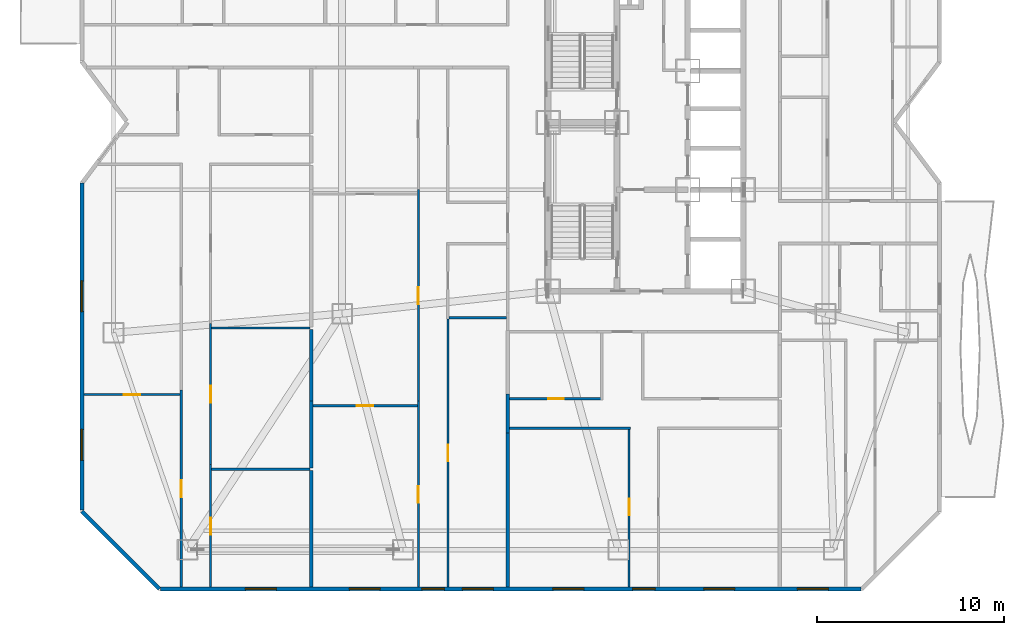
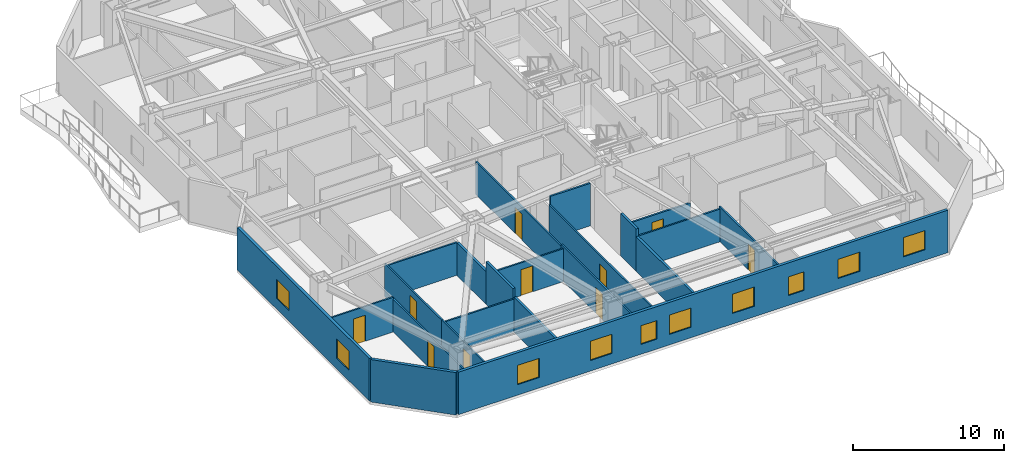
# One storey, part 8 of 16: 22 walls, 10 doors, 10 windows, 20 openings.
"""IFC4 building model written with IfcOpenShell, lengths in metres."""

from ifc_helpers import new_model, si_unit, direction, frame, frame_2d, origin, place, context, subcontext, project, spatial, rectangle, extrude, material, layer, layer_set, type_object, element, fill, save


model = new_model("IFC4")

# Units and contexts
model_context = context("Model", 3, precision=1e-05, world=origin(), true_north=direction((0.0, 1.0)))
body_context = subcontext(model_context, "Body", "Model", "MODEL_VIEW")
ifc_project = project(units=[si_unit("LENGTHUNIT", "METRE"), si_unit("AREAUNIT", "SQUARE_METRE"), si_unit("VOLUMEUNIT", "CUBIC_METRE"), si_unit("PLANEANGLEUNIT", "RADIAN"), si_unit("MASSUNIT", "GRAM", prefix="KILO")], contexts=[model_context])

# Site, building, storey
site_placement = place(None, origin())
site = spatial("IfcSite", under=ifc_project, at=site_placement, CompositionType="ELEMENT")
building_placement = place(site_placement, origin())
building = spatial("IfcBuilding", under=site, at=building_placement, Name="Khamvora Tower", CompositionType="ELEMENT")
storey_placement = place(building_placement, frame((0.0, 0.0, 55.199951171875)))
storey = spatial("IfcBuildingStorey", under=building, at=storey_placement, Name="L13", CompositionType="ELEMENT", Elevation=55.199951171875)

# Walls
ifc_material_1 = material(Name="Acoustic Double-Stud Fire Wall", Category="gypsum")
ifc_layer_1 = layer(ifc_material_1, 0.179931640625)
ifc_layer_set_1 = layer_set([ifc_layer_1], Name="Acoustic Double-Stud Fire Wall")
wall_type_1 = type_object("IfcWallType", Name="WAL-CORR-180", PredefinedType="STANDARD", material=ifc_layer_set_1)
wall_1_placement = place(storey_placement, frame((16.345947265625, 9.427001953125, 0.0), z_axis=(0.0, 0.0, 1.0), x_axis=(0.0, -1.0, 0.0)))
element("IfcWall", 1, at=wall_1_placement, inside=storey, type_object=wall_type_1, Name="L13 interior partition wall 055", PredefinedType="STANDARD", context=body_context, shape_type="SweptSolid", body=[
    extrude(rectangle(XDim=6.215087890625, YDim=0.179931640625, at=frame_2d((3.107421875, 0.0))), origin(), (0.0, 0.0, 1.0), 2.802978515625),
])
wall_2_placement = place(storey_placement, frame((16.345947265625, 13.125, 0.0), z_axis=(0.0, 0.0, 1.0), x_axis=(0.0, -1.0, 0.0)))
element("IfcWall", 2, at=wall_2_placement, inside=storey, type_object=wall_type_1, Name="L13 interior partition wall 057", PredefinedType="STANDARD", context=body_context, shape_type="SweptSolid", body=[
    extrude(rectangle(XDim=3.568115234375, YDim=0.179931640625, at=frame_2d((1.7841796875, 0.0))), origin(), (0.0, 0.0, 1.0), 3.429931640625),
])
wall_3_placement = place(storey_placement, frame((16.345947265625, 16.9609375, 0.0), z_axis=(0.0, 0.0, 1.0), x_axis=(0.0, -1.0, 0.0)))
element("IfcWall", 3, at=wall_3_placement, inside=storey, type_object=wall_type_1, Name="L13 interior partition wall 058", PredefinedType="STANDARD", context=body_context, shape_type="SweptSolid", body=[
    extrude(rectangle(XDim=3.8359375, YDim=0.179931640625, at=frame_2d((1.91796875, 0.0))), origin(), (0.0, 0.0, 1.0), 2.64697265625),
])
wall_4_placement = place(storey_placement, frame((26.8349609375, 13.50390625, 0.0), z_axis=(0.0, 0.0, 1.0), x_axis=(0.0, -1.0, 0.0)))
element("IfcWall", 4, at=wall_4_placement, inside=storey, type_object=wall_type_1, Name="L13 interior partition wall 063", PredefinedType="STANDARD", context=body_context, shape_type="SweptSolid", body=[
    extrude(rectangle(XDim=2.077880859375, YDim=0.179931640625, at=frame_2d((1.0390625, 0.0))), origin(), (0.0, 0.0, 1.0), 3.429931640625),
])
wall_5_placement = place(storey_placement, frame((26.8349609375, 11.426025390625, 0.0), z_axis=(0.0, 0.0, 1.0), x_axis=(0.0, -1.0, 0.0)))
element("IfcWall", 5, at=wall_5_placement, inside=storey, type_object=wall_type_1, Name="L13 interior partition wall 065", PredefinedType="STANDARD", context=body_context, shape_type="SweptSolid", body=[
    extrude(rectangle(XDim=8.214111328125, YDim=0.179931640625, at=frame_2d((4.10693359375, 0.0))), origin(), (0.0, 0.0, 1.0), 2.802978515625),
])
ifc_material_2 = material(Name="Precast concrete C40/50", Category="concrete")
ifc_layer_2 = layer(ifc_material_2, 0.219970703125)
ifc_layer_set_2 = layer_set([ifc_layer_2], Name="Precast concrete C40/50")
wall_type_2 = type_object("IfcWallType", Name="WAL-EXT-220", PredefinedType="STANDARD", material=ifc_layer_set_2)
wall_6_placement = place(storey_placement, frame((8.24609375, 3.110107421875, 0.0), z_axis=(0.0, 0.0, 1.0), x_axis=(-0.707106781187, 0.707106781187, 0.0)))
element("IfcWall", 6, at=wall_6_placement, inside=storey, type_object=wall_type_2, Name="L13 exterior facade wall 01.1", PredefinedType="STANDARD", context=body_context, shape_type="SweptSolid", body=[
    extrude(rectangle(XDim=5.84912109375, YDim=0.219970703125, at=frame_2d((2.924560546875, 0.0))), origin(), (0.0, 0.0, 1.0), 3.429931640625),
])

# Wall, openings, windows
wall_7_placement = place(storey_placement, frame((4.110107421875, 7.31689453125, 0.0), z_axis=(0.0, 0.0, 1.0), x_axis=(0.0, 1.0, 0.0)))
wall_7 = element("IfcWall", 7, at=wall_7_placement, inside=storey, type_object=wall_type_2, Name="L13 exterior facade wall 02.1", PredefinedType="STANDARD", context=body_context, shape_type="SweptSolid", body=[
    extrude(rectangle(XDim=17.446044921875, YDim=0.219970703125, at=frame_2d((8.72314453125, 0.0))), origin(), (0.0, 0.0, 1.0), 3.429931640625),
])
opening_1_placement = place(wall_7_placement, frame((2.64697265625, 0.0, 0.85009765625)))
opening_1 = element("IfcOpeningElement", 8, at=opening_1_placement, cuts=wall_7, Name="Opening WN-06", PredefinedType="OPENING", context=body_context, shape_type="SweptSolid", body=[
    extrude(rectangle(XDim=1.64990234375, YDim=1.550048828125, at=frame_2d((0.824951171875, 0.77490234375))), frame((0.0, 0.119873046875, 0.0), z_axis=(0.0, -1.0, 0.0), x_axis=(1.0, 0.0, 0.0)), (0.0, 0.0, 1.0), 0.239990234375),
])
opening_2_placement = place(wall_7_placement, frame((10.5849609375, 0.0, 0.85009765625)))
opening_2 = element("IfcOpeningElement", 9, at=opening_2_placement, cuts=wall_7, Name="Opening WN-06", PredefinedType="OPENING", context=body_context, shape_type="SweptSolid", body=[
    extrude(rectangle(XDim=1.64990234375, YDim=1.550048828125, at=frame_2d((0.824951171875, 0.77490234375))), frame((0.0, 0.119873046875, 0.0), z_axis=(0.0, -1.0, 0.0), x_axis=(1.0, 0.0, 0.0)), (0.0, 0.0, 1.0), 0.239990234375),
])
ifc_material_3 = material(Name="Low-E Laminated Double Glazing", Category="glass")
window_type_1 = type_object("IfcWindowType", Name="WIN-VIS-1650x1550", PartitioningType="SINGLE_PANEL", PredefinedType="WINDOW", material=ifc_material_3)
window_1_placement = place(opening_1_placement, origin())
window_1 = element("IfcWindow", 10, at=window_1_placement, inside=storey, type_object=window_type_1, Name="L13 vision window 02.1.01", OverallHeight=1.550048828125, OverallWidth=1.64990234375, PartitioningType="SINGLE_PANEL", PredefinedType="WINDOW", context=body_context, shape_type="SweptSolid", body=[
    extrude(rectangle(XDim=1.64990234375, YDim=1.550048828125, at=frame_2d((0.824951171875, 0.77490234375))), frame((0.0, 0.030029296875, 0.0), z_axis=(0.0, -1.0, 0.0), x_axis=(1.0, 0.0, 0.0)), (0.0, 0.0, 1.0), 0.06005859375),
])
fill(opening_1, window_1)
window_2_placement = place(opening_2_placement, origin())
window_2 = element("IfcWindow", 11, at=window_2_placement, inside=storey, type_object=window_type_1, Name="L13 vision window 02.1.02", OverallHeight=1.550048828125, OverallWidth=1.64990234375, PartitioningType="SINGLE_PANEL", PredefinedType="WINDOW", context=body_context, shape_type="SweptSolid", body=[
    extrude(rectangle(XDim=1.64990234375, YDim=1.550048828125, at=frame_2d((0.824951171875, 0.77490234375))), frame((0.0, 0.030029296875, 0.0), z_axis=(0.0, -1.0, 0.0), x_axis=(1.0, 0.0, 0.0)), (0.0, 0.0, 1.0), 0.06005859375),
])
fill(opening_2, window_2)

wall_8_placement = place(storey_placement, frame((45.68310546875, 3.110107421875, 0.0), z_axis=(0.0, 0.0, 1.0), x_axis=(-1.0, 0.0, 0.0)))
wall_8 = element("IfcWall", 12, at=wall_8_placement, inside=storey, type_object=wall_type_2, Name="L13 exterior facade wall 14.1", PredefinedType="STANDARD", context=body_context, shape_type="SweptSolid", body=[
    extrude(rectangle(XDim=37.3681640625, YDim=0.219970703125, at=frame_2d((18.68408203125, 0.0))), origin(), (0.0, 0.0, 1.0), 3.429931640625),
])
opening_3_placement = place(wall_8_placement, frame((31.194091796875, 0.0, 0.85009765625)))
opening_3 = element("IfcOpeningElement", 13, at=opening_3_placement, cuts=wall_8, Name="Opening WN-06", PredefinedType="OPENING", context=body_context, shape_type="SweptSolid", body=[
    extrude(rectangle(XDim=1.64990234375, YDim=1.550048828125, at=frame_2d((0.824951171875, 0.77490234375))), frame((0.0, 0.119873046875, 0.0), z_axis=(0.0, -1.0, 0.0), x_axis=(1.0, 0.0, 0.0)), (0.0, 0.0, 1.0), 0.239990234375),
])
opening_4_placement = place(wall_8_placement, frame((19.614990234375, 0.0, 0.85009765625)))
opening_4 = element("IfcOpeningElement", 14, at=opening_4_placement, cuts=wall_8, Name="Opening WN-06", PredefinedType="OPENING", context=body_context, shape_type="SweptSolid", body=[
    extrude(rectangle(XDim=1.64990234375, YDim=1.550048828125, at=frame_2d((0.824951171875, 0.77490234375))), frame((0.0, 0.119873046875, 0.0), z_axis=(0.0, -1.0, 0.0), x_axis=(1.0, 0.0, 0.0)), (0.0, 0.0, 1.0), 0.239990234375),
])
opening_5_placement = place(wall_8_placement, frame((22.222900390625, 0.0, 0.800048828125)))
opening_5 = element("IfcOpeningElement", 15, at=opening_5_placement, cuts=wall_8, Name="Opening WN-03", PredefinedType="OPENING", context=body_context, shape_type="SweptSolid", body=[
    extrude(rectangle(XDim=1.199951171875, YDim=1.5, at=frame_2d((0.60009765625, 0.75))), frame((0.0, 0.119873046875, 0.0), z_axis=(0.0, -1.0, 0.0), x_axis=(1.0, 0.0, 0.0)), (0.0, 0.0, 1.0), 0.239990234375),
])
opening_6_placement = place(wall_8_placement, frame((25.64990234375, 0.0, 0.85009765625)))
opening_6 = element("IfcOpeningElement", 16, at=opening_6_placement, cuts=wall_8, Name="Opening WN-06", PredefinedType="OPENING", context=body_context, shape_type="SweptSolid", body=[
    extrude(rectangle(XDim=1.64990234375, YDim=1.550048828125, at=frame_2d((0.824951171875, 0.77490234375))), frame((0.0, 0.119873046875, 0.0), z_axis=(0.0, -1.0, 0.0), x_axis=(1.0, 0.0, 0.0)), (0.0, 0.0, 1.0), 0.239990234375),
])
opening_7_placement = place(wall_8_placement, frame((10.98291015625, 0.0, 0.800048828125)))
opening_7 = element("IfcOpeningElement", 17, at=opening_7_placement, cuts=wall_8, Name="Opening WN-03", PredefinedType="OPENING", context=body_context, shape_type="SweptSolid", body=[
    extrude(rectangle(XDim=1.199951171875, YDim=1.5, at=frame_2d((0.60009765625, 0.75))), frame((0.0, 0.119873046875, 0.0), z_axis=(0.0, -1.0, 0.0), x_axis=(1.0, 0.0, 0.0)), (0.0, 0.0, 1.0), 0.239990234375),
])
opening_8_placement = place(wall_8_placement, frame((14.782958984375, 0.0, 0.85009765625)))
opening_8 = element("IfcOpeningElement", 18, at=opening_8_placement, cuts=wall_8, Name="Opening WN-06", PredefinedType="OPENING", context=body_context, shape_type="SweptSolid", body=[
    extrude(rectangle(XDim=1.64990234375, YDim=1.550048828125, at=frame_2d((0.824951171875, 0.77490234375))), frame((0.0, 0.119873046875, 0.0), z_axis=(0.0, -1.0, 0.0), x_axis=(1.0, 0.0, 0.0)), (0.0, 0.0, 1.0), 0.239990234375),
])
opening_9_placement = place(wall_8_placement, frame((6.73291015625, 0.0, 0.85009765625)))
opening_9 = element("IfcOpeningElement", 19, at=opening_9_placement, cuts=wall_8, Name="Opening WN-06", PredefinedType="OPENING", context=body_context, shape_type="SweptSolid", body=[
    extrude(rectangle(XDim=1.64990234375, YDim=1.550048828125, at=frame_2d((0.824951171875, 0.77490234375))), frame((0.0, 0.119873046875, 0.0), z_axis=(0.0, -1.0, 0.0), x_axis=(1.0, 0.0, 0.0)), (0.0, 0.0, 1.0), 0.239990234375),
])
opening_10_placement = place(wall_8_placement, frame((1.738037109375, 0.0, 0.85009765625)))
opening_10 = element("IfcOpeningElement", 20, at=opening_10_placement, cuts=wall_8, Name="Opening WN-06", PredefinedType="OPENING", context=body_context, shape_type="SweptSolid", body=[
    extrude(rectangle(XDim=1.64990234375, YDim=1.550048828125, at=frame_2d((0.824951171875, 0.77490234375))), frame((0.0, 0.119873046875, 0.0), z_axis=(0.0, -1.0, 0.0), x_axis=(1.0, 0.0, 0.0)), (0.0, 0.0, 1.0), 0.239990234375),
])
window_type_2 = type_object("IfcWindowType", Name="WIN-VIS-1200x1500", PartitioningType="SINGLE_PANEL", PredefinedType="WINDOW", material=ifc_material_3)
window_3_placement = place(opening_5_placement, origin())
window_3 = element("IfcWindow", 21, at=window_3_placement, inside=storey, type_object=window_type_2, Name="L13 vision window 14.1.03", OverallHeight=1.5, OverallWidth=1.199951171875, PartitioningType="SINGLE_PANEL", PredefinedType="WINDOW", context=body_context, shape_type="SweptSolid", body=[
    extrude(rectangle(XDim=1.199951171875, YDim=1.5, at=frame_2d((0.60009765625, 0.75))), frame((0.0, 0.030029296875, 0.0), z_axis=(0.0, -1.0, 0.0), x_axis=(1.0, 0.0, 0.0)), (0.0, 0.0, 1.0), 0.06005859375),
])
fill(opening_5, window_3)
window_4_placement = place(opening_7_placement, origin())
window_4 = element("IfcWindow", 22, at=window_4_placement, inside=storey, type_object=window_type_2, Name="L13 vision window 14.1.05", OverallHeight=1.5, OverallWidth=1.199951171875, PartitioningType="SINGLE_PANEL", PredefinedType="WINDOW", context=body_context, shape_type="SweptSolid", body=[
    extrude(rectangle(XDim=1.199951171875, YDim=1.5, at=frame_2d((0.60009765625, 0.75))), frame((0.0, 0.030029296875, 0.0), z_axis=(0.0, -1.0, 0.0), x_axis=(1.0, 0.0, 0.0)), (0.0, 0.0, 1.0), 0.06005859375),
])
fill(opening_7, window_4)
window_5_placement = place(opening_3_placement, origin())
window_5 = element("IfcWindow", 23, at=window_5_placement, inside=storey, type_object=window_type_1, Name="L13 vision window 14.1.01", OverallHeight=1.550048828125, OverallWidth=1.64990234375, PartitioningType="SINGLE_PANEL", PredefinedType="WINDOW", context=body_context, shape_type="SweptSolid", body=[
    extrude(rectangle(XDim=1.64990234375, YDim=1.550048828125, at=frame_2d((0.824951171875, 0.77490234375))), frame((0.0, 0.030029296875, 0.0), z_axis=(0.0, -1.0, 0.0), x_axis=(1.0, 0.0, 0.0)), (0.0, 0.0, 1.0), 0.06005859375),
])
fill(opening_3, window_5)
window_6_placement = place(opening_4_placement, origin())
window_6 = element("IfcWindow", 24, at=window_6_placement, inside=storey, type_object=window_type_1, Name="L13 vision window 14.1.02", OverallHeight=1.550048828125, OverallWidth=1.64990234375, PartitioningType="SINGLE_PANEL", PredefinedType="WINDOW", context=body_context, shape_type="SweptSolid", body=[
    extrude(rectangle(XDim=1.64990234375, YDim=1.550048828125, at=frame_2d((0.824951171875, 0.77490234375))), frame((0.0, 0.030029296875, 0.0), z_axis=(0.0, -1.0, 0.0), x_axis=(1.0, 0.0, 0.0)), (0.0, 0.0, 1.0), 0.06005859375),
])
fill(opening_4, window_6)
window_7_placement = place(opening_6_placement, origin())
window_7 = element("IfcWindow", 25, at=window_7_placement, inside=storey, type_object=window_type_1, Name="L13 vision window 14.1.04", OverallHeight=1.550048828125, OverallWidth=1.64990234375, PartitioningType="SINGLE_PANEL", PredefinedType="WINDOW", context=body_context, shape_type="SweptSolid", body=[
    extrude(rectangle(XDim=1.64990234375, YDim=1.550048828125, at=frame_2d((0.824951171875, 0.77490234375))), frame((0.0, 0.030029296875, 0.0), z_axis=(0.0, -1.0, 0.0), x_axis=(1.0, 0.0, 0.0)), (0.0, 0.0, 1.0), 0.06005859375),
])
fill(opening_6, window_7)
window_8_placement = place(opening_8_placement, origin())
window_8 = element("IfcWindow", 26, at=window_8_placement, inside=storey, type_object=window_type_1, Name="L13 vision window 14.1.06", OverallHeight=1.550048828125, OverallWidth=1.64990234375, PartitioningType="SINGLE_PANEL", PredefinedType="WINDOW", context=body_context, shape_type="SweptSolid", body=[
    extrude(rectangle(XDim=1.64990234375, YDim=1.550048828125, at=frame_2d((0.824951171875, 0.77490234375))), frame((0.0, 0.030029296875, 0.0), z_axis=(0.0, -1.0, 0.0), x_axis=(1.0, 0.0, 0.0)), (0.0, 0.0, 1.0), 0.06005859375),
])
fill(opening_8, window_8)
window_9_placement = place(opening_9_placement, origin())
window_9 = element("IfcWindow", 27, at=window_9_placement, inside=storey, type_object=window_type_1, Name="L13 vision window 14.1.07", OverallHeight=1.550048828125, OverallWidth=1.64990234375, PartitioningType="SINGLE_PANEL", PredefinedType="WINDOW", context=body_context, shape_type="SweptSolid", body=[
    extrude(rectangle(XDim=1.64990234375, YDim=1.550048828125, at=frame_2d((0.824951171875, 0.77490234375))), frame((0.0, 0.030029296875, 0.0), z_axis=(0.0, -1.0, 0.0), x_axis=(1.0, 0.0, 0.0)), (0.0, 0.0, 1.0), 0.06005859375),
])
fill(opening_9, window_9)
window_10_placement = place(opening_10_placement, origin())
window_10 = element("IfcWindow", 28, at=window_10_placement, inside=storey, type_object=window_type_1, Name="L13 vision window 14.1.08", OverallHeight=1.550048828125, OverallWidth=1.64990234375, PartitioningType="SINGLE_PANEL", PredefinedType="WINDOW", context=body_context, shape_type="SweptSolid", body=[
    extrude(rectangle(XDim=1.64990234375, YDim=1.550048828125, at=frame_2d((0.824951171875, 0.77490234375))), frame((0.0, 0.030029296875, 0.0), z_axis=(0.0, -1.0, 0.0), x_axis=(1.0, 0.0, 0.0)), (0.0, 0.0, 1.0), 0.06005859375),
])
fill(opening_10, window_10)

# Wall, opening, door
ifc_material_4 = material(Name="Gypsum Plasterboard Partition", Category="gypsum")
ifc_layer_3 = layer(ifc_material_4, 0.1201171875)
ifc_layer_set_3 = layer_set([ifc_layer_3], Name="Gypsum Plasterboard Partition")
wall_type_3 = type_object("IfcWallType", Name="WAL-PART-120", PredefinedType="PARTITIONING", material=ifc_layer_set_3)
wall_9_placement = place(storey_placement, frame((9.410888671875, 3.2119140625, 0.0), z_axis=(0.0, 0.0, 1.0), x_axis=(0.0, 1.0, 0.0)))
wall_9 = element("IfcWall", 29, at=wall_9_placement, inside=storey, type_object=wall_type_3, Name="L13 interior partition wall 044", PredefinedType="PARTITIONING", context=body_context, shape_type="SweptSolid", body=[
    extrude(rectangle(XDim=10.51318359375, YDim=0.1201171875, at=frame_2d((5.256591796875, 0.0))), origin(), (0.0, 0.0, 1.0), 2.64697265625),
])
opening_11_placement = place(wall_9_placement, frame((4.784912109375, 0.0, 0.0)))
opening_11 = element("IfcOpeningElement", 30, at=opening_11_placement, cuts=wall_9, Name="Opening D-RM1", PredefinedType="OPENING", context=body_context, shape_type="SweptSolid", body=[
    extrude(rectangle(XDim=0.89990234375, YDim=2.10009765625, at=frame_2d((0.449951171875, 1.050048828125))), frame((0.0, 0.070068359375, 0.0), z_axis=(0.0, -1.0, 0.0), x_axis=(1.0, 0.0, 0.0)), (0.0, 0.0, 1.0), 0.14013671875),
])
ifc_material_5 = material(Name="Powder-Coated Steel and Hardwood Leaf", Category="steel")
door_type_1 = type_object("IfcDoorType", Name="DOR-ROOM-900", OperationType="NOTDEFINED", PredefinedType="DOOR", material=ifc_material_5)
door_1_placement = place(opening_11_placement, origin())
door_1 = element("IfcDoor", 31, at=door_1_placement, inside=storey, type_object=door_type_1, Name="L13 interior door 13WA1H-13WA1R1", OperationType="SINGLE_SWING_RIGHT", OverallHeight=2.10009765625, OverallWidth=0.89990234375, PredefinedType="DOOR", context=body_context, shape_type="SweptSolid", body=[
    extrude(rectangle(XDim=0.89990234375, YDim=2.10009765625, at=frame_2d((0.449951171875, 1.050048828125))), frame((0.0, 0.02490234375, 0.0), z_axis=(0.0, -1.0, 0.0), x_axis=(1.0, 0.0, 0.0)), (0.0, 0.0, 1.0), 0.050048828125),
])
fill(opening_11, door_1)

wall_10_placement = place(storey_placement, frame((10.98095703125, 9.741943359375, 0.0), z_axis=(0.0, 0.0, 1.0), x_axis=(0.0, -1.0, 0.0)))
wall_10 = element("IfcWall", 32, at=wall_10_placement, inside=storey, type_object=wall_type_3, Name="L13 interior partition wall 047", PredefinedType="PARTITIONING", context=body_context, shape_type="SweptSolid", body=[
    extrude(rectangle(XDim=6.530029296875, YDim=0.1201171875, at=frame_2d((3.26513671875, 0.0))), origin(), (0.0, 0.0, 1.0), 2.64697265625),
])
opening_12_placement = place(wall_10_placement, frame((2.8359375, 0.0, 0.0)))
opening_12 = element("IfcOpeningElement", 33, at=opening_12_placement, cuts=wall_10, Name="Opening D-RM1", PredefinedType="OPENING", context=body_context, shape_type="SweptSolid", body=[
    extrude(rectangle(XDim=0.89990234375, YDim=2.10009765625, at=frame_2d((0.449951171875, 1.050048828125))), frame((0.0, 0.070068359375, 0.0), z_axis=(0.0, -1.0, 0.0), x_axis=(1.0, 0.0, 0.0)), (0.0, 0.0, 1.0), 0.14013671875),
])
door_2_placement = place(opening_12_placement, origin())
door_2 = element("IfcDoor", 34, at=door_2_placement, inside=storey, type_object=door_type_1, Name="L13 interior door 13WA1H-13WA1R3", OperationType="SINGLE_SWING_LEFT", OverallHeight=2.10009765625, OverallWidth=0.89990234375, PredefinedType="DOOR", context=body_context, shape_type="SweptSolid", body=[
    extrude(rectangle(XDim=0.89990234375, YDim=2.10009765625, at=frame_2d((0.449951171875, 1.050048828125))), frame((0.0, 0.02490234375, 0.0), z_axis=(0.0, -1.0, 0.0), x_axis=(1.0, 0.0, 0.0)), (0.0, 0.0, 1.0), 0.050048828125),
])
fill(opening_12, door_2)

wall_11_placement = place(storey_placement, frame((10.98095703125, 17.27490234375, 0.0), z_axis=(0.0, 0.0, 1.0), x_axis=(0.0, -1.0, 0.0)))
wall_11 = element("IfcWall", 35, at=wall_11_placement, inside=storey, type_object=wall_type_3, Name="L13 interior partition wall 048", PredefinedType="PARTITIONING", context=body_context, shape_type="SweptSolid", body=[
    extrude(rectangle(XDim=7.532958984375, YDim=0.1201171875, at=frame_2d((3.7666015625, 0.0))), origin(), (0.0, 0.0, 1.0), 2.64697265625),
])
opening_13_placement = place(wall_11_placement, frame((3.3369140625, 0.0, 0.0)))
opening_13 = element("IfcOpeningElement", 36, at=opening_13_placement, cuts=wall_11, Name="Opening D-RM1", PredefinedType="OPENING", context=body_context, shape_type="SweptSolid", body=[
    extrude(rectangle(XDim=0.89990234375, YDim=2.10009765625, at=frame_2d((0.449951171875, 1.050048828125))), frame((0.0, 0.070068359375, 0.0), z_axis=(0.0, -1.0, 0.0), x_axis=(1.0, 0.0, 0.0)), (0.0, 0.0, 1.0), 0.14013671875),
])
door_3_placement = place(opening_13_placement, origin())
door_3 = element("IfcDoor", 37, at=door_3_placement, inside=storey, type_object=door_type_1, Name="L13 interior door 13WA1H-13WA1R4", OperationType="SINGLE_SWING_LEFT", OverallHeight=2.10009765625, OverallWidth=0.89990234375, PredefinedType="DOOR", context=body_context, shape_type="SweptSolid", body=[
    extrude(rectangle(XDim=0.89990234375, YDim=2.10009765625, at=frame_2d((0.449951171875, 1.050048828125))), frame((0.0, 0.02490234375, 0.0), z_axis=(0.0, -1.0, 0.0), x_axis=(1.0, 0.0, 0.0)), (0.0, 0.0, 1.0), 0.050048828125),
])
fill(opening_13, door_3)

wall_12_placement = place(storey_placement, frame((4.2119140625, 13.47509765625, 0.0), z_axis=(0.0, 0.0, 1.0), x_axis=(1.0, 0.0, 0.0)))
wall_12 = element("IfcWall", 38, at=wall_12_placement, inside=storey, type_object=wall_type_3, Name="L13 interior partition wall 053", PredefinedType="PARTITIONING", context=body_context, shape_type="SweptSolid", body=[
    extrude(rectangle(XDim=5.14501953125, YDim=0.1201171875, at=frame_2d((2.572509765625, 0.0))), origin(), (0.0, 0.0, 1.0), 2.802978515625),
])
opening_14_placement = place(wall_12_placement, frame((2.1220703125, 0.0, 0.0)))
opening_14 = element("IfcOpeningElement", 39, at=opening_14_placement, cuts=wall_12, Name="Opening D-RM1", PredefinedType="OPENING", context=body_context, shape_type="SweptSolid", body=[
    extrude(rectangle(XDim=0.89990234375, YDim=2.10009765625, at=frame_2d((0.449951171875, 1.050048828125))), frame((0.0, 0.070068359375, 0.0), z_axis=(0.0, -1.0, 0.0), x_axis=(1.0, 0.0, 0.0)), (0.0, 0.0, 1.0), 0.14013671875),
])
door_4_placement = place(opening_14_placement, origin())
door_4 = element("IfcDoor", 40, at=door_4_placement, inside=storey, type_object=door_type_1, Name="L13 interior door 13WA1R1-13WA1R2", OperationType="SINGLE_SWING_LEFT", OverallHeight=2.10009765625, OverallWidth=0.89990234375, PredefinedType="DOOR", context=body_context, shape_type="SweptSolid", body=[
    extrude(rectangle(XDim=0.89990234375, YDim=2.10009765625, at=frame_2d((0.449951171875, 1.050048828125))), frame((0.0, 0.02490234375, 0.0), z_axis=(0.0, -1.0, 0.0), x_axis=(1.0, 0.0, 0.0)), (0.0, 0.0, 1.0), 0.050048828125),
])
fill(opening_14, door_4)

# Walls
for number, where, z_axis, x_axis, name in (
    (41, (11.034912109375, 9.491943359375, 0.0), (0.0, 0.0, 1.0), (1.0, 0.0, 0.0), "L13 interior partition wall 054"),
    (42, (11.034912109375, 17.02587890625, 0.0), (0.0, 0.0, 1.0), (1.0, 0.0, 0.0), "L13 interior partition wall 056"),
):
    element("IfcWall", number, at=place(storey_placement, frame(where, z_axis=z_axis, x_axis=x_axis)), inside=storey, type_object=wall_type_3, Name=name, PredefinedType="PARTITIONING", context=body_context, shape_type="SweptSolid", body=[
        extrude(rectangle(XDim=5.24609375, YDim=0.1201171875, at=frame_2d((2.623046875, 0.0))), origin(), (0.0, 0.0, 1.0), 2.64697265625),
    ])

# Wall, opening, door
wall_13_placement = place(storey_placement, frame((23.64990234375, 3.2119140625, 0.0), z_axis=(0.0, 0.0, 1.0), x_axis=(0.0, 1.0, 0.0)))
wall_13 = element("IfcWall", 43, at=wall_13_placement, inside=storey, type_object=wall_type_3, Name="L13 interior partition wall 061", PredefinedType="PARTITIONING", context=body_context, shape_type="SweptSolid", body=[
    extrude(rectangle(XDim=14.2919921875, YDim=0.1201171875, at=frame_2d((7.14599609375, 0.0))), origin(), (0.0, 0.0, 1.0), 2.802978515625),
])
opening_15_placement = place(wall_13_placement, frame((6.696044921875, 0.0, 0.0)))
opening_15 = element("IfcOpeningElement", 44, at=opening_15_placement, cuts=wall_13, Name="Opening D-RM1", PredefinedType="OPENING", context=body_context, shape_type="SweptSolid", body=[
    extrude(rectangle(XDim=0.89990234375, YDim=2.10009765625, at=frame_2d((0.449951171875, 1.050048828125))), frame((0.0, 0.070068359375, 0.0), z_axis=(0.0, -1.0, 0.0), x_axis=(1.0, 0.0, 0.0)), (0.0, 0.0, 1.0), 0.14013671875),
])
door_5_placement = place(opening_15_placement, origin())
door_5 = element("IfcDoor", 45, at=door_5_placement, inside=storey, type_object=door_type_1, Name="L13 interior door 13WA2W1-13WA2H", OperationType="SINGLE_SWING_RIGHT", OverallHeight=2.10009765625, OverallWidth=0.89990234375, PredefinedType="DOOR", context=body_context, shape_type="SweptSolid", body=[
    extrude(rectangle(XDim=0.89990234375, YDim=2.10009765625, at=frame_2d((0.449951171875, 1.050048828125))), frame((0.0, 0.02490234375, 0.0), z_axis=(0.0, -1.0, 0.0), x_axis=(1.0, 0.0, 0.0)), (0.0, 0.0, 1.0), 0.050048828125),
])
fill(opening_15, door_5)

wall_14_placement = place(storey_placement, frame((22.070068359375, 3.2119140625, 0.0), z_axis=(0.0, 0.0, 1.0), x_axis=(0.0, 1.0, 0.0)))
wall_14 = element("IfcWall", 46, at=wall_14_placement, inside=storey, type_object=wall_type_3, Name="L13 interior partition wall 070", PredefinedType="PARTITIONING", context=body_context, shape_type="SweptSolid", body=[
    extrude(rectangle(XDim=9.9130859375, YDim=0.1201171875, at=frame_2d((4.95654296875, 0.0))), origin(), (0.0, 0.0, 1.0), 2.802978515625),
])
opening_16_placement = place(wall_14_placement, frame((4.486083984375, 0.0, 0.0)))
opening_16 = element("IfcOpeningElement", 47, at=opening_16_placement, cuts=wall_14, Name="Opening D-RM1", PredefinedType="OPENING", context=body_context, shape_type="SweptSolid", body=[
    extrude(rectangle(XDim=0.89990234375, YDim=2.10009765625, at=frame_2d((0.449951171875, 1.050048828125))), frame((0.0, 0.070068359375, 0.0), z_axis=(0.0, -1.0, 0.0), x_axis=(1.0, 0.0, 0.0)), (0.0, 0.0, 1.0), 0.14013671875),
])
door_6_placement = place(opening_16_placement, origin())
door_6 = element("IfcDoor", 48, at=door_6_placement, inside=storey, type_object=door_type_1, Name="L13 interior door 13WA2H-13WA2R1", OperationType="SINGLE_SWING_LEFT", OverallHeight=2.10009765625, OverallWidth=0.89990234375, PredefinedType="DOOR", context=body_context, shape_type="SweptSolid", body=[
    extrude(rectangle(XDim=0.89990234375, YDim=2.10009765625, at=frame_2d((0.449951171875, 1.050048828125))), frame((0.0, 0.02490234375, 0.0), z_axis=(0.0, -1.0, 0.0), x_axis=(1.0, 0.0, 0.0)), (0.0, 0.0, 1.0), 0.050048828125),
])
fill(opening_16, door_6)

wall_15_placement = place(storey_placement, frame((22.070068359375, 13.125, 0.0), z_axis=(0.0, 0.0, 1.0), x_axis=(0.0, 1.0, 0.0)))
wall_15 = element("IfcWall", 49, at=wall_15_placement, inside=storey, type_object=wall_type_3, Name="L13 interior partition wall 071", PredefinedType="PARTITIONING", context=body_context, shape_type="SweptSolid", body=[
    extrude(rectangle(XDim=11.304931640625, YDim=0.1201171875, at=frame_2d((5.65234375, 0.0))), origin(), (0.0, 0.0, 1.0), 2.64697265625),
])
opening_17_placement = place(wall_15_placement, frame((5.180908203125, 0.0, 0.0)))
opening_17 = element("IfcOpeningElement", 50, at=opening_17_placement, cuts=wall_15, Name="Opening D-RM1", PredefinedType="OPENING", context=body_context, shape_type="SweptSolid", body=[
    extrude(rectangle(XDim=0.89990234375, YDim=2.10009765625, at=frame_2d((0.449951171875, 1.050048828125))), frame((0.0, 0.070068359375, 0.0), z_axis=(0.0, -1.0, 0.0), x_axis=(1.0, 0.0, 0.0)), (0.0, 0.0, 1.0), 0.14013671875),
])
door_7_placement = place(opening_17_placement, origin())
door_7 = element("IfcDoor", 51, at=door_7_placement, inside=storey, type_object=door_type_1, Name="L13 interior door 13WA2H-13WA2R2", OperationType="SINGLE_SWING_RIGHT", OverallHeight=2.10009765625, OverallWidth=0.89990234375, PredefinedType="DOOR", context=body_context, shape_type="SweptSolid", body=[
    extrude(rectangle(XDim=0.89990234375, YDim=2.10009765625, at=frame_2d((0.449951171875, 1.050048828125))), frame((0.0, 0.02490234375, 0.0), z_axis=(0.0, -1.0, 0.0), x_axis=(1.0, 0.0, 0.0)), (0.0, 0.0, 1.0), 0.050048828125),
])
fill(opening_17, door_7)

wall_16_placement = place(storey_placement, frame((16.427978515625, 12.8759765625, 0.0), z_axis=(0.0, 0.0, 1.0), x_axis=(1.0, 0.0, 0.0)))
wall_16 = element("IfcWall", 52, at=wall_16_placement, inside=storey, type_object=wall_type_3, Name="L13 interior partition wall 073", PredefinedType="PARTITIONING", context=body_context, shape_type="SweptSolid", body=[
    extrude(rectangle(XDim=5.588134765625, YDim=0.1201171875, at=frame_2d((2.7939453125, 0.0))), origin(), (0.0, 0.0, 1.0), 2.64697265625),
])
opening_18_placement = place(wall_16_placement, frame((2.343994140625, 0.0, 0.0)))
opening_18 = element("IfcOpeningElement", 53, at=opening_18_placement, cuts=wall_16, Name="Opening D-RM1", PredefinedType="OPENING", context=body_context, shape_type="SweptSolid", body=[
    extrude(rectangle(XDim=0.89990234375, YDim=2.10009765625, at=frame_2d((0.449951171875, 1.050048828125))), frame((0.0, 0.070068359375, 0.0), z_axis=(0.0, -1.0, 0.0), x_axis=(1.0, 0.0, 0.0)), (0.0, 0.0, 1.0), 0.14013671875),
])
door_8_placement = place(opening_18_placement, origin())
door_8 = element("IfcDoor", 54, at=door_8_placement, inside=storey, type_object=door_type_1, Name="L13 interior door 13WA2R1-13WA2R2", OperationType="SINGLE_SWING_RIGHT", OverallHeight=2.10009765625, OverallWidth=0.89990234375, PredefinedType="DOOR", context=body_context, shape_type="SweptSolid", body=[
    extrude(rectangle(XDim=0.89990234375, YDim=2.10009765625, at=frame_2d((0.449951171875, 1.050048828125))), frame((0.0, 0.02490234375, 0.0), z_axis=(0.0, -1.0, 0.0), x_axis=(1.0, 0.0, 0.0)), (0.0, 0.0, 1.0), 0.050048828125),
])
fill(opening_18, door_8)

wall_17_placement = place(storey_placement, frame((33.31494140625, 3.2119140625, 0.0), z_axis=(0.0, 0.0, 1.0), x_axis=(0.0, 1.0, 0.0)))
wall_17 = element("IfcWall", 55, at=wall_17_placement, inside=storey, type_object=wall_type_3, Name="L13 interior partition wall 106", PredefinedType="PARTITIONING", context=body_context, shape_type="SweptSolid", body=[
    extrude(rectangle(XDim=8.528076171875, YDim=0.1201171875, at=frame_2d((4.26416015625, 0.0))), origin(), (0.0, 0.0, 1.0), 2.802978515625),
])
opening_19_placement = place(wall_17_placement, frame((3.81396484375, 0.0, 0.0)))
opening_19 = element("IfcOpeningElement", 56, at=opening_19_placement, cuts=wall_17, Name="Opening D-RM1", PredefinedType="OPENING", context=body_context, shape_type="SweptSolid", body=[
    extrude(rectangle(XDim=0.89990234375, YDim=2.10009765625, at=frame_2d((0.449951171875, 1.050048828125))), frame((0.0, 0.070068359375, 0.0), z_axis=(0.0, -1.0, 0.0), x_axis=(1.0, 0.0, 0.0)), (0.0, 0.0, 1.0), 0.14013671875),
])
door_9_placement = place(opening_19_placement, origin())
door_9 = element("IfcDoor", 57, at=door_9_placement, inside=storey, type_object=door_type_1, Name="L13 interior door 13SAH-13SAR1", OperationType="SINGLE_SWING_LEFT", OverallHeight=2.10009765625, OverallWidth=0.89990234375, PredefinedType="DOOR", context=body_context, shape_type="SweptSolid", body=[
    extrude(rectangle(XDim=0.89990234375, YDim=2.10009765625, at=frame_2d((0.449951171875, 1.050048828125))), frame((0.0, 0.02490234375, 0.0), z_axis=(0.0, -1.0, 0.0), x_axis=(1.0, 0.0, 0.0)), (0.0, 0.0, 1.0), 0.050048828125),
])
fill(opening_19, door_9)

# Walls
wall_18_placement = place(storey_placement, frame((33.3798828125, 11.675048828125, 0.0), z_axis=(0.0, 0.0, 1.0), x_axis=(-1.0, 0.0, 0.0)))
element("IfcWall", 58, at=wall_18_placement, inside=storey, type_object=wall_type_3, Name="L13 interior partition wall 107", PredefinedType="PARTITIONING", context=body_context, shape_type="SweptSolid", body=[
    extrude(rectangle(XDim=6.462890625, YDim=0.1201171875, at=frame_2d((3.2314453125, 0.0))), origin(), (0.0, 0.0, 1.0), 2.64697265625),
])
ifc_material_6 = material(Name="Moisture-Resistant Plasterboard Partition", Category="gypsum")
ifc_layer_4 = layer(ifc_material_6, 0.135009765625)
ifc_layer_set_4 = layer_set([ifc_layer_4], Name="Moisture-Resistant Plasterboard Partition")
wall_type_4 = type_object("IfcWallType", Name="WAL-WET-135", PredefinedType="PARTITIONING", material=ifc_layer_set_4)
wall_19_placement = place(storey_placement, frame((23.715087890625, 17.569091796875, 0.0), z_axis=(0.0, 0.0, 1.0), x_axis=(1.0, 0.0, 0.0)))
element("IfcWall", 59, at=wall_19_placement, inside=storey, type_object=wall_type_4, Name="L13 interior partition wall 062", PredefinedType="PARTITIONING", context=body_context, shape_type="SweptSolid", body=[
    extrude(rectangle(XDim=3.054931640625, YDim=0.135009765625, at=frame_2d((1.52734375, 0.0))), origin(), (0.0, 0.0, 1.0), 3.429931640625),
])

# Wall, opening, door
wall_20_placement = place(storey_placement, frame((26.9169921875, 13.2548828125, 0.0), z_axis=(0.0, 0.0, 1.0), x_axis=(1.0, 0.0, 0.0)))
wall_20 = element("IfcWall", 60, at=wall_20_placement, inside=storey, type_object=wall_type_4, Name="L13 interior partition wall 102", PredefinedType="PARTITIONING", context=body_context, shape_type="SweptSolid", body=[
    extrude(rectangle(XDim=4.998046875, YDim=0.135009765625, at=frame_2d((2.4990234375, 0.0))), origin(), (0.0, 0.0, 1.0), 2.64697265625),
])
opening_20_placement = place(wall_20_placement, frame((2.073974609375, 0.0, 0.0)))
opening_20 = element("IfcOpeningElement", 61, at=opening_20_placement, cuts=wall_20, Name="Opening D-WC1", PredefinedType="OPENING", context=body_context, shape_type="SweptSolid", body=[
    extrude(rectangle(XDim=0.85009765625, YDim=2.10009765625, at=frame_2d((0.425048828125, 1.050048828125))), frame((0.0, 0.077392578125, 0.0), z_axis=(0.0, -1.0, 0.0), x_axis=(1.0, 0.0, 0.0)), (0.0, 0.0, 1.0), 0.155029296875),
])
door_type_2 = type_object("IfcDoorType", Name="DOR-WET-850", OperationType="NOTDEFINED", PredefinedType="DOOR", material=ifc_material_5)
door_10_placement = place(opening_20_placement, origin())
door_10 = element("IfcDoor", 62, at=door_10_placement, inside=storey, type_object=door_type_2, Name="L13 interior door 13SAH-13SAB", OperationType="SINGLE_SWING_LEFT", OverallHeight=2.10009765625, OverallWidth=0.85009765625, PredefinedType="DOOR", context=body_context, shape_type="SweptSolid", body=[
    extrude(rectangle(XDim=0.85009765625, YDim=2.10009765625, at=frame_2d((0.425048828125, 1.050048828125))), frame((0.0, 0.02490234375, 0.0), z_axis=(0.0, -1.0, 0.0), x_axis=(1.0, 0.0, 0.0)), (0.0, 0.0, 1.0), 0.050048828125),
])
fill(opening_20, door_10)

save(model, "model.ifc")
